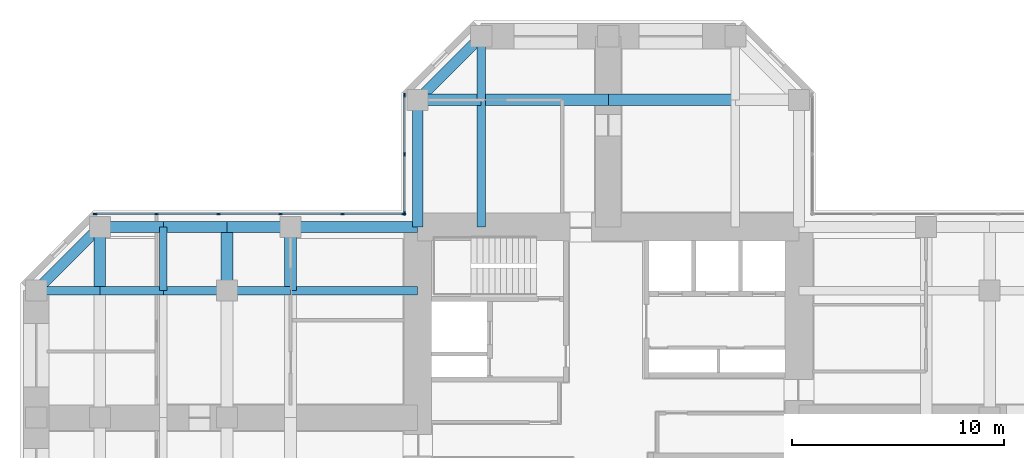
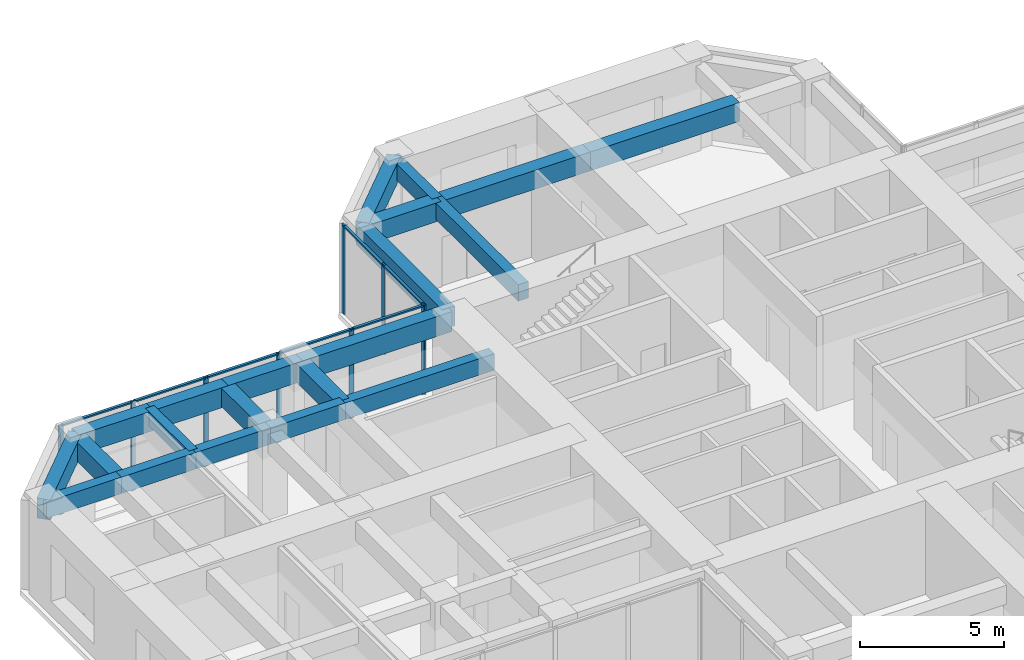
# One storey, part 5 of 13: 21 beams, 16 members, 2 elements without a shape of their own.
"""IFC4 building model written with IfcOpenShell, lengths in metres."""

from ifc_helpers import new_model, si_unit, direction, frame, origin, origin_2d, place, context, subcontext, project, spatial, rectangle, extrude, material, material_profile, profile_set, type_object, element, aggregate, save


model = new_model("IFC4")

# Units and contexts
model_context = context("Model", 3, precision=1e-05, world=origin(), true_north=direction((0.0, 1.0)))
body_context = subcontext(model_context, "Body", "Model", "MODEL_VIEW")
ifc_project = project(units=[si_unit("LENGTHUNIT", "METRE"), si_unit("AREAUNIT", "SQUARE_METRE"), si_unit("VOLUMEUNIT", "CUBIC_METRE"), si_unit("PLANEANGLEUNIT", "RADIAN"), si_unit("MASSUNIT", "GRAM", prefix="KILO")], contexts=[model_context])

# Site, building, storey
site_placement = place(None, origin())
site = spatial("IfcSite", under=ifc_project, at=site_placement, CompositionType="ELEMENT")
building_placement = place(site_placement, origin())
building = spatial("IfcBuilding", under=site, at=building_placement, Name="Torre Cruceta", CompositionType="ELEMENT")
storey_placement = place(building_placement, frame((0.0, 0.0, 128.5)))
storey = spatial("IfcBuildingStorey", under=building, at=storey_placement, Name="L31", CompositionType="ELEMENT", Elevation=128.5)

# Beams
ifc_material_1 = material(Name="Concrete G60 (fck 60 MPa)", Category="concrete")
ifc_material_profile_1 = material_profile(ifc_material_1, rectangle(XDim=0.39990234375, YDim=0.699951171875, at=origin_2d()), Name="RC 400X700")
ifc_profile_set_1 = profile_set([ifc_material_profile_1], Name="Concrete G60 (fck 60 MPa)")
beam_type_1 = type_object("IfcBeamType", Name="COLUMN LINE BEAM RC 400X700", PredefinedType="BEAM", material=ifc_profile_set_1)
beam_1_placement = place(storey_placement, frame((-6.0, 9.0, 3.449951171875), z_axis=(0.0, 1.0, 0.0), x_axis=(-1.0, 0.0, 0.0)))
element("IfcBeam", 1, at=beam_1_placement, inside=storey, type_object=beam_type_1, Name="LB5 L31 N col+ 1", PredefinedType="BEAM", context=body_context, shape_type="SweptSolid", body=[
    extrude(rectangle(XDim=0.39990234375, YDim=0.699951171875, at=origin_2d()), origin(), (0.0, 0.0, 1.0), 6.0),
])
beam_2_placement = place(storey_placement, frame((-6.0, 15.0, 3.449951171875), z_axis=(0.0, 1.0, 0.0), x_axis=(-1.0, 0.0, 0.0)))
element("IfcBeam", 2, at=beam_2_placement, inside=storey, type_object=beam_type_1, Name="LB5 L31 N col+ 2", PredefinedType="BEAM", context=body_context, shape_type="SweptSolid", body=[
    extrude(rectangle(XDim=0.39990234375, YDim=0.699951171875, at=origin_2d()), origin(), (0.0, 0.0, 1.0), 3.0),
])
beam_3_placement = place(storey_placement, frame((-9.0, 6.0, 3.449951171875), z_axis=(-1.0, 0.0, 0.0), x_axis=(0.0, -1.0, 0.0)))
element("IfcBeam", 3, at=beam_3_placement, inside=storey, type_object=beam_type_1, Name="LB5 L31 W col- 1", PredefinedType="BEAM", context=body_context, shape_type="SweptSolid", body=[
    extrude(rectangle(XDim=0.39990234375, YDim=0.699951171875, at=origin_2d()), origin(), (0.0, 0.0, 1.0), 6.0),
])
for number, where, z_axis, x_axis, name in (
    (4, (-15.0, 6.0, 3.449951171875), (-1.0, 0.0, 0.0), (0.0, -1.0, 0.0), "LB5 L31 W col- 2"),
    (5, (-18.0, 6.0, 3.449951171875), (-1.0, 0.0, 0.0), (0.0, -1.0, 0.0), "LB5 L31 W col- 3"),
    (6, (-21.0, 6.0, 3.449951171875), (-1.0, 0.0, 0.0), (0.0, -1.0, 0.0), "LB5 L31 W col- 4"),
    (7, (-24.0, 6.0, 3.449951171875), (-1.0, 0.0, 0.0), (0.0, -1.0, 0.0), "LB5 L31 W col- 5"),
):
    element("IfcBeam", number, at=place(storey_placement, frame(where, z_axis=z_axis, x_axis=x_axis)), inside=storey, type_object=beam_type_1, Name=name, PredefinedType="BEAM", context=body_context, shape_type="SweptSolid", body=[
        extrude(rectangle(XDim=0.39990234375, YDim=0.699951171875, at=origin_2d()), origin(), (0.0, 0.0, 1.0), 3.0),
    ])
ifc_material_2 = material(Name="Concrete G60 (fck 60 MPa)", Category="concrete")
ifc_material_profile_2 = material_profile(ifc_material_2, rectangle(XDim=0.550048828125, YDim=0.800048828125, at=origin_2d()), Name="RC 550X800")
ifc_profile_set_2 = profile_set([ifc_material_profile_2], Name="Concrete G60 (fck 60 MPa)")
beam_type_2 = type_object("IfcBeamType", Name="CROSS BEAM RC 550X800", PredefinedType="BEAM", material=ifc_profile_set_2)
for number, where, z_axis, x_axis, name in (
    (8, (6.0, 15.0, 3.39990234375), (-1.0, 0.0, 0.0), (0.0, -1.0, 0.0), "GB5 L31 N cross15 2"),
    (9, (0.0, 15.0, 3.39990234375), (-1.0, 0.0, 0.0), (0.0, -1.0, 0.0), "GB5 L31 N cross15 3"),
):
    element("IfcBeam", number, at=place(storey_placement, frame(where, z_axis=z_axis, x_axis=x_axis)), inside=storey, type_object=beam_type_2, Name=name, PredefinedType="BEAM", context=body_context, shape_type="SweptSolid", body=[
        extrude(rectangle(XDim=0.550048828125, YDim=0.800048828125, at=origin_2d()), origin(), (0.0, 0.0, 1.0), 6.0),
    ])
for number, where, z_axis, x_axis, name in (
    (10, (-6.0, 15.0, 3.39990234375), (-1.0, 0.0, 0.0), (0.0, -1.0, 0.0), "GB5 L31 N cross15 4"),
    (11, (-15.0, 9.0, 3.39990234375), (0.0, -1.0, 0.0), (1.0, 0.0, 0.0), "GB5 L31 W cross15 1"),
    (12, (-18.0, 9.0, 3.39990234375), (0.0, -1.0, 0.0), (1.0, 0.0, 0.0), "GB5 L31 W cross18 1"),
    (13, (-24.0, 9.0, 3.39990234375), (0.0, -1.0, 0.0), (1.0, 0.0, 0.0), "GB5 L31 W cross24 1"),
):
    element("IfcBeam", number, at=place(storey_placement, frame(where, z_axis=z_axis, x_axis=x_axis)), inside=storey, type_object=beam_type_2, Name=name, PredefinedType="BEAM", context=body_context, shape_type="SweptSolid", body=[
        extrude(rectangle(XDim=0.550048828125, YDim=0.800048828125, at=origin_2d()), origin(), (0.0, 0.0, 1.0), 3.0),
    ])

# Curtain wall, members
ifc_material_3 = material(Name="Aluminium unitised curtain wall", Category="aluminium")
curtain_wall_type = type_object("IfcCurtainWallType", Name="CURTAIN WALL CW-B OFFICE MID RISE", PredefinedType="USERDEFINED", material=ifc_material_3)
curtain_wall_1_placement = place(storey_placement, origin())
curtain_wall_1 = element("IfcCurtainWall", 14, at=curtain_wall_1_placement, inside=storey, type_object=curtain_wall_type, Name="CW-B L31 N side 09", ObjectType="UNITISED", PredefinedType="USERDEFINED")
ifc_material_4 = material(Name="Aluminium mullion", Category="aluminium")
ifc_material_profile_3 = material_profile(ifc_material_4, rectangle(XDim=0.06494140625, YDim=0.179931640625, at=origin_2d()), Name="AL 65X180")
ifc_profile_set_3 = profile_set([ifc_material_profile_3], Name="Aluminium mullion")
member_type_1 = type_object("IfcMemberType", Name="CW-B MULLION 65X180", PredefinedType="MULLION", material=ifc_profile_set_3)
member_1_placement = place(storey_placement, frame((-9.6201171875, 15.224365234375, 0.0), z_axis=(0.0, 0.0, 1.0), x_axis=(1.0, 0.0, 0.0)))
member_1 = element("IfcMember", 15, at=member_1_placement, type_object=member_type_1, Name="CW-B mullion 1", PredefinedType="MULLION", context=body_context, shape_type="SweptSolid", body=[
    extrude(rectangle(XDim=0.06494140625, YDim=0.179931640625, at=origin_2d()), origin(), (0.0, 0.0, 1.0), 3.800048828125),
])
member_2_placement = place(storey_placement, frame((-9.6201171875, 12.4384765625, 0.0), z_axis=(0.0, 0.0, 1.0), x_axis=(1.0, 0.0, 0.0)))
member_2 = element("IfcMember", 16, at=member_2_placement, type_object=member_type_1, Name="CW-B mullion 2", PredefinedType="MULLION", context=body_context, shape_type="SweptSolid", body=[
    extrude(rectangle(XDim=0.06494140625, YDim=0.179931640625, at=origin_2d()), origin(), (0.0, 0.0, 1.0), 3.800048828125),
])
member_3_placement = place(storey_placement, frame((-9.6201171875, 9.652587890625, 0.0), z_axis=(0.0, 0.0, 1.0), x_axis=(1.0, 0.0, 0.0)))
member_3 = element("IfcMember", 17, at=member_3_placement, type_object=member_type_1, Name="CW-B mullion 3", PredefinedType="MULLION", context=body_context, shape_type="SweptSolid", body=[
    extrude(rectangle(XDim=0.06494140625, YDim=0.179931640625, at=origin_2d()), origin(), (0.0, 0.0, 1.0), 3.800048828125),
])

curtain_wall_2_placement = place(storey_placement, origin())
curtain_wall_2 = element("IfcCurtainWall", 18, at=curtain_wall_2_placement, inside=storey, type_object=curtain_wall_type, Name="CW-B L31 W side 10", ObjectType="UNITISED", PredefinedType="USERDEFINED")
member_4_placement = place(storey_placement, frame((-9.652587890625, 9.6201171875, 0.0), z_axis=(0.0, 0.0, 1.0), x_axis=(0.0, -1.0, 0.0)))
member_4 = element("IfcMember", 19, at=member_4_placement, type_object=member_type_1, Name="CW-B mullion 1", PredefinedType="MULLION", context=body_context, shape_type="SweptSolid", body=[
    extrude(rectangle(XDim=0.06494140625, YDim=0.179931640625, at=origin_2d()), origin(), (0.0, 0.0, 1.0), 3.800048828125),
])
member_5_placement = place(storey_placement, frame((-12.54736328125, 9.6201171875, 0.0), z_axis=(0.0, 0.0, 1.0), x_axis=(0.0, -1.0, 0.0)))
member_5 = element("IfcMember", 20, at=member_5_placement, type_object=member_type_1, Name="CW-B mullion 2", PredefinedType="MULLION", context=body_context, shape_type="SweptSolid", body=[
    extrude(rectangle(XDim=0.06494140625, YDim=0.179931640625, at=origin_2d()), origin(), (0.0, 0.0, 1.0), 3.800048828125),
])
member_6_placement = place(storey_placement, frame((-15.474609375, 9.6201171875, 0.0), z_axis=(0.0, 0.0, 1.0), x_axis=(0.0, -1.0, 0.0)))
member_6 = element("IfcMember", 21, at=member_6_placement, type_object=member_type_1, Name="CW-B mullion 3", PredefinedType="MULLION", context=body_context, shape_type="SweptSolid", body=[
    extrude(rectangle(XDim=0.06494140625, YDim=0.179931640625, at=origin_2d()), origin(), (0.0, 0.0, 1.0), 3.800048828125),
])
member_7_placement = place(storey_placement, frame((-18.402099609375, 9.6201171875, 0.0), z_axis=(0.0, 0.0, 1.0), x_axis=(0.0, -1.0, 0.0)))
member_7 = element("IfcMember", 22, at=member_7_placement, type_object=member_type_1, Name="CW-B mullion 4", PredefinedType="MULLION", context=body_context, shape_type="SweptSolid", body=[
    extrude(rectangle(XDim=0.06494140625, YDim=0.179931640625, at=origin_2d()), origin(), (0.0, 0.0, 1.0), 3.800048828125),
])
member_8_placement = place(storey_placement, frame((-21.329345703125, 9.6201171875, 0.0), z_axis=(0.0, 0.0, 1.0), x_axis=(0.0, -1.0, 0.0)))
member_8 = element("IfcMember", 23, at=member_8_placement, type_object=member_type_1, Name="CW-B mullion 5", PredefinedType="MULLION", context=body_context, shape_type="SweptSolid", body=[
    extrude(rectangle(XDim=0.06494140625, YDim=0.179931640625, at=origin_2d()), origin(), (0.0, 0.0, 1.0), 3.800048828125),
])
member_9_placement = place(storey_placement, frame((-24.224365234375, 9.6201171875, 0.0), z_axis=(0.0, 0.0, 1.0), x_axis=(0.0, -1.0, 0.0)))
member_9 = element("IfcMember", 24, at=member_9_placement, type_object=member_type_1, Name="CW-B mullion 6", PredefinedType="MULLION", context=body_context, shape_type="SweptSolid", body=[
    extrude(rectangle(XDim=0.06494140625, YDim=0.179931640625, at=origin_2d()), origin(), (0.0, 0.0, 1.0), 3.800048828125),
])

# Member
ifc_material_5 = material(Name="Aluminium transom", Category="aluminium")
ifc_material_profile_4 = material_profile(ifc_material_5, rectangle(XDim=0.110107421875, YDim=0.06494140625, at=origin_2d()), Name="AL 110X65")
ifc_profile_set_4 = profile_set([ifc_material_profile_4], Name="Aluminium transom")
member_type_2 = type_object("IfcMemberType", Name="CW-B TRANSOM 65X110", PredefinedType="USERDEFINED", material=ifc_profile_set_4)
member_10_placement = place(storey_placement, frame((-9.6201171875, 15.19189453125, 3.767578125), z_axis=(0.0, -1.0, 0.0), x_axis=(1.0, 0.0, 0.0)))
member_10 = element("IfcMember", 25, at=member_10_placement, type_object=member_type_2, Name="CW-B transom 1", ObjectType="TRANSOM", PredefinedType="USERDEFINED", context=body_context, shape_type="SweptSolid", body=[
    extrude(rectangle(XDim=0.110107421875, YDim=0.06494140625, at=origin_2d()), origin(), (0.0, 0.0, 1.0), 2.720947265625),
])

member_11_placement = place(storey_placement, frame((-9.6201171875, 12.406005859375, 3.767578125), z_axis=(0.0, -1.0, 0.0), x_axis=(1.0, 0.0, 0.0)))
member_11 = element("IfcMember", 26, at=member_11_placement, type_object=member_type_2, Name="CW-B transom 2", ObjectType="TRANSOM", PredefinedType="USERDEFINED", context=body_context, shape_type="SweptSolid", body=[
    extrude(rectangle(XDim=0.110107421875, YDim=0.06494140625, at=origin_2d()), origin(), (0.0, 0.0, 1.0), 2.720947265625),
])

aggregate(curtain_wall_1, [member_1, member_2, member_3, member_10, member_11])

member_12_placement = place(storey_placement, frame((-9.68505859375, 9.6201171875, 3.767578125), z_axis=(-1.0, 0.0, 0.0), x_axis=(0.0, -1.0, 0.0)))
member_12 = element("IfcMember", 27, at=member_12_placement, type_object=member_type_2, Name="CW-B transom 1", ObjectType="TRANSOM", PredefinedType="USERDEFINED", context=body_context, shape_type="SweptSolid", body=[
    extrude(rectangle(XDim=0.110107421875, YDim=0.06494140625, at=origin_2d()), origin(), (0.0, 0.0, 1.0), 2.829833984375),
])

member_13_placement = place(storey_placement, frame((-12.579833984375, 9.6201171875, 3.767578125), z_axis=(-1.0, 0.0, 0.0), x_axis=(0.0, -1.0, 0.0)))
member_13 = element("IfcMember", 28, at=member_13_placement, type_object=member_type_2, Name="CW-B transom 2", ObjectType="TRANSOM", PredefinedType="USERDEFINED", context=body_context, shape_type="SweptSolid", body=[
    extrude(rectangle(XDim=0.110107421875, YDim=0.06494140625, at=origin_2d()), origin(), (0.0, 0.0, 1.0), 2.8623046875),
])

member_14_placement = place(storey_placement, frame((-15.50732421875, 9.6201171875, 3.767578125), z_axis=(-1.0, 0.0, 0.0), x_axis=(0.0, -1.0, 0.0)))
member_14 = element("IfcMember", 29, at=member_14_placement, type_object=member_type_2, Name="CW-B transom 3", ObjectType="TRANSOM", PredefinedType="USERDEFINED", context=body_context, shape_type="SweptSolid", body=[
    extrude(rectangle(XDim=0.110107421875, YDim=0.06494140625, at=origin_2d()), origin(), (0.0, 0.0, 1.0), 2.8623046875),
])

member_15_placement = place(storey_placement, frame((-18.4345703125, 9.6201171875, 3.767578125), z_axis=(-1.0, 0.0, 0.0), x_axis=(0.0, -1.0, 0.0)))
member_15 = element("IfcMember", 30, at=member_15_placement, type_object=member_type_2, Name="CW-B transom 4", ObjectType="TRANSOM", PredefinedType="USERDEFINED", context=body_context, shape_type="SweptSolid", body=[
    extrude(rectangle(XDim=0.110107421875, YDim=0.06494140625, at=origin_2d()), origin(), (0.0, 0.0, 1.0), 2.8623046875),
])

member_16_placement = place(storey_placement, frame((-21.362060546875, 9.6201171875, 3.767578125), z_axis=(-1.0, 0.0, 0.0), x_axis=(0.0, -1.0, 0.0)))
member_16 = element("IfcMember", 31, at=member_16_placement, type_object=member_type_2, Name="CW-B transom 5", ObjectType="TRANSOM", PredefinedType="USERDEFINED", context=body_context, shape_type="SweptSolid", body=[
    extrude(rectangle(XDim=0.110107421875, YDim=0.06494140625, at=origin_2d()), origin(), (0.0, 0.0, 1.0), 2.829833984375),
])

aggregate(curtain_wall_2, [member_4, member_5, member_6, member_7, member_8, member_9, member_12, member_13, member_14, member_15, member_16])

# Beams
ifc_material_6 = material(Name="Concrete G60 (fck 60 MPa)", Category="concrete")
ifc_material_profile_5 = material_profile(ifc_material_6, rectangle(XDim=0.35009765625, YDim=0.60009765625, at=origin_2d()), Name="RC 350X600")
ifc_profile_set_5 = profile_set([ifc_material_profile_5], Name="Concrete G60 (fck 60 MPa)")
beam_type_3 = type_object("IfcBeamType", Name="SECONDARY BEAM RC 350X600", PredefinedType="JOIST", material=ifc_profile_set_5)
beam_4_placement = place(storey_placement, frame((-21.0, 9.0, 3.5), z_axis=(0.0, -1.0, 0.0), x_axis=(1.0, 0.0, 0.0)))
element("IfcBeam", 32, at=beam_4_placement, inside=storey, type_object=beam_type_3, Name="JB5 L31 W sec21 1", PredefinedType="JOIST", context=body_context, shape_type="SweptSolid", body=[
    extrude(rectangle(XDim=0.35009765625, YDim=0.60009765625, at=origin_2d()), origin(), (0.0, 0.0, 1.0), 3.0),
])
ifc_material_7 = material(Name="Concrete G60 (fck 60 MPa)", Category="concrete")
ifc_material_profile_6 = material_profile(ifc_material_7, rectangle(XDim=0.5, YDim=0.85009765625, at=origin_2d()), Name="RC 500X850")
ifc_profile_set_6 = profile_set([ifc_material_profile_6], Name="Concrete G60 (fck 60 MPa)")
beam_type_4 = type_object("IfcBeamType", Name="SPANDREL BEAM RC 500X850", PredefinedType="SPANDREL", material=ifc_profile_set_6)
beam_5_placement = place(storey_placement, frame((-9.0, 9.0, 3.375), z_axis=(0.0, 1.0, 0.0), x_axis=(-1.0, 0.0, 0.0)))
element("IfcBeam", 33, at=beam_5_placement, inside=storey, type_object=beam_type_4, Name="SB5 L31 N side+ 1", PredefinedType="SPANDREL", context=body_context, shape_type="SweptSolid", body=[
    extrude(rectangle(XDim=0.5, YDim=0.85009765625, at=origin_2d()), origin(), (0.0, 0.0, 1.0), 6.0),
])
beam_6_placement = place(storey_placement, frame((-9.0, 15.0, 3.375), z_axis=(0.707106781187, 0.707106781187, 0.0), x_axis=(-0.707106781187, 0.707106781187, 0.0)))
element("IfcBeam", 34, at=beam_6_placement, inside=storey, type_object=beam_type_4, Name="SB5 L31 N side+ 2", PredefinedType="SPANDREL", context=body_context, shape_type="SweptSolid", body=[
    extrude(rectangle(XDim=0.5, YDim=0.85009765625, at=origin_2d()), origin(), (0.0, 0.0, 1.0), 4.24267578125),
])
beam_7_placement = place(storey_placement, frame((-9.0, 9.0, 3.375), z_axis=(-1.0, 0.0, 0.0), x_axis=(0.0, -1.0, 0.0)))
element("IfcBeam", 35, at=beam_7_placement, inside=storey, type_object=beam_type_4, Name="SB5 L31 W side- 1", PredefinedType="SPANDREL", context=body_context, shape_type="SweptSolid", body=[
    extrude(rectangle(XDim=0.5, YDim=0.85009765625, at=origin_2d()), origin(), (0.0, 0.0, 1.0), 6.0),
])
for number, where, z_axis, x_axis, name in (
    (36, (-15.0, 9.0, 3.375), (-1.0, 0.0, 0.0), (0.0, -1.0, 0.0), "SB5 L31 W side- 2"),
    (37, (-18.0, 9.0, 3.375), (-1.0, 0.0, 0.0), (0.0, -1.0, 0.0), "SB5 L31 W side- 3"),
    (38, (-21.0, 9.0, 3.375), (-1.0, 0.0, 0.0), (0.0, -1.0, 0.0), "SB5 L31 W side- 4"),
):
    element("IfcBeam", number, at=place(storey_placement, frame(where, z_axis=z_axis, x_axis=x_axis)), inside=storey, type_object=beam_type_4, Name=name, PredefinedType="SPANDREL", context=body_context, shape_type="SweptSolid", body=[
        extrude(rectangle(XDim=0.5, YDim=0.85009765625, at=origin_2d()), origin(), (0.0, 0.0, 1.0), 3.0),
    ])
beam_8_placement = place(storey_placement, frame((-24.0, 9.0, 3.375), z_axis=(-0.707106781187, -0.707106781187, 0.0), x_axis=(0.707106781187, -0.707106781187, 0.0)))
element("IfcBeam", 39, at=beam_8_placement, inside=storey, type_object=beam_type_4, Name="SB5 L31 W side- 5", PredefinedType="SPANDREL", context=body_context, shape_type="SweptSolid", body=[
    extrude(rectangle(XDim=0.5, YDim=0.85009765625, at=origin_2d()), origin(), (0.0, 0.0, 1.0), 4.24267578125),
])

save(model, "model.ifc")
